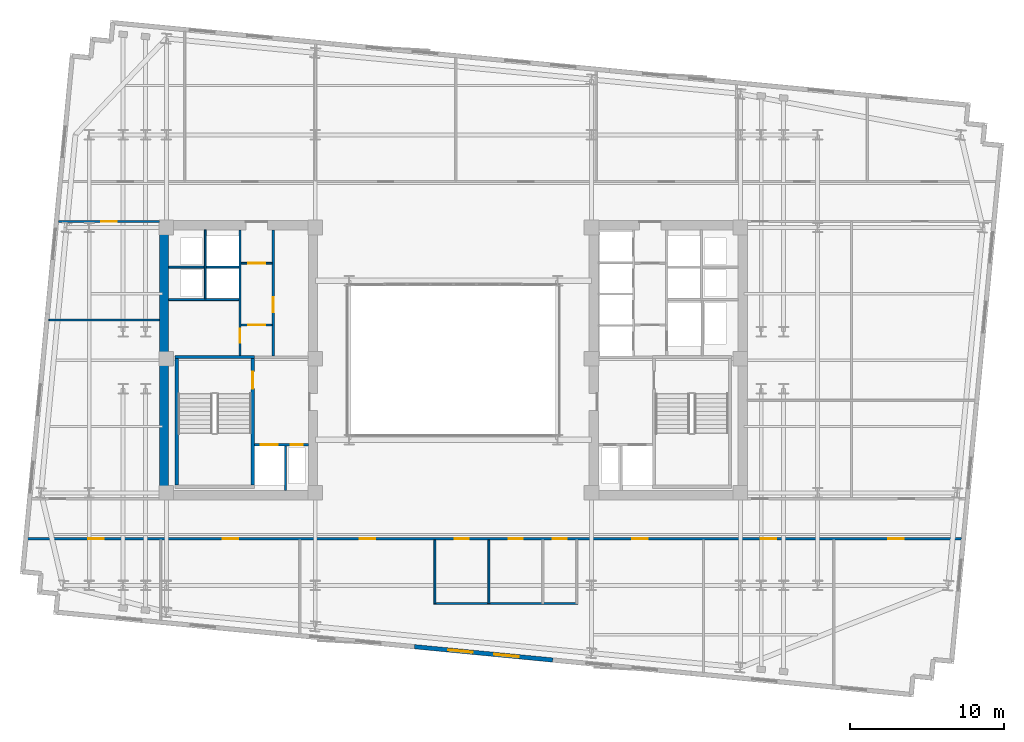
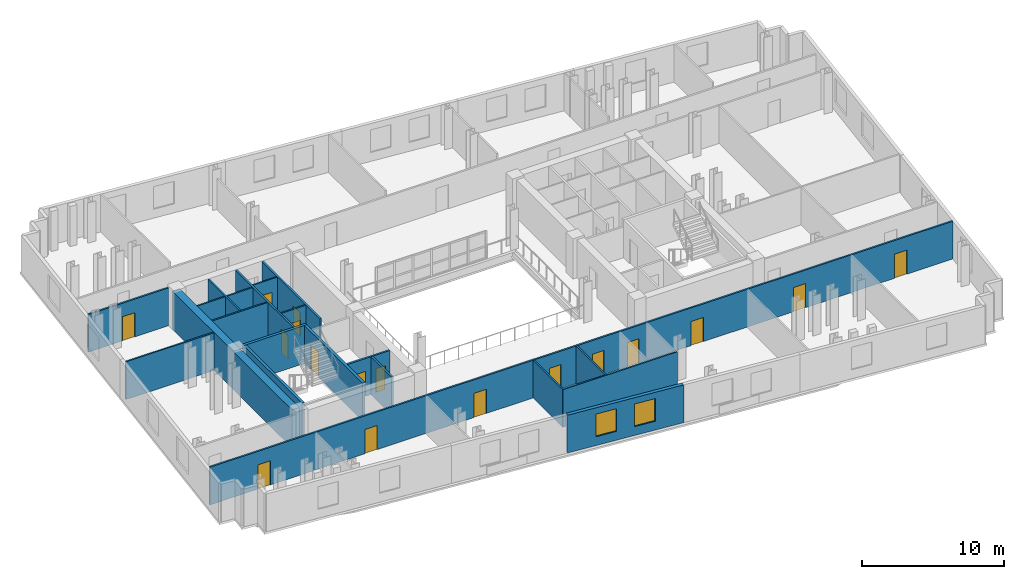
# One storey, part 5 of 10: 21 walls, 17 doors, 2 windows, 19 openings.
"""IFC4 building model written with IfcOpenShell, lengths in metres."""

from ifc_helpers import new_model, si_unit, direction, frame, frame_2d, origin, place, context, subcontext, project, spatial, rectangle, extrude, material, layer, layer_set, type_object, element, fill, save


model = new_model("IFC4")

# Units and contexts
model_context = context("Model", 3, precision=1e-05, world=origin(), true_north=direction((0.0, 1.0)))
body_context = subcontext(model_context, "Body", "Model", "MODEL_VIEW")
ifc_project = project(units=[si_unit("LENGTHUNIT", "METRE"), si_unit("AREAUNIT", "SQUARE_METRE"), si_unit("VOLUMEUNIT", "CUBIC_METRE"), si_unit("PLANEANGLEUNIT", "RADIAN"), si_unit("MASSUNIT", "GRAM", prefix="KILO")], contexts=[model_context])

# Site, building, storey
site_placement = place(None, origin())
site = spatial("IfcSite", under=ifc_project, at=site_placement, CompositionType="ELEMENT")
building_placement = place(site_placement, origin())
building = spatial("IfcBuilding", under=site, at=building_placement, Name="Velakula Bourse", CompositionType="ELEMENT")
storey_placement = place(building_placement, frame((0.0, 0.0, 188.0)))
storey = spatial("IfcBuildingStorey", under=building, at=storey_placement, Name="L51", CompositionType="ELEMENT", Elevation=188.0)

# Wall, opening, door
ifc_material_1 = material(Name="Concrete M50 (fck 50 MPa)", Category="concrete")
ifc_layer_1 = layer(ifc_material_1, 0.2099609375, Name="Concrete M50 (fck 50 MPa)", Category="concrete")
ifc_layer_set_1 = layer_set([ifc_layer_1], Name="Concrete M50 (fck 50 MPa)")
wall_type_1 = type_object("IfcWallType", Name="WL-CORE-210", PredefinedType="SHEAR", material=ifc_layer_set_1)
wall_1_placement = place(storey_placement, frame((-12.9951171875, -8.10009765625, 0.0), z_axis=(0.0, 0.0, 1.0), x_axis=(0.0, 1.0, 0.0)))
wall_1 = element("IfcWall", 1, at=wall_1_placement, inside=storey, type_object=wall_type_1, Name="L51 Core W Stairwell Shear Wall IN", PredefinedType="SHEAR", context=body_context, shape_type="SweptSolid", body=[
    extrude(rectangle(XDim=8.2001953125, YDim=0.2099609375, at=frame_2d((4.10009765625, 0.0))), origin(), (0.0, 0.0, 1.0), 3.27001953125),
])
opening_1_placement = place(wall_1_placement, frame((6.25, 0.0, 0.0)))
opening_1 = element("IfcOpeningElement", 2, at=opening_1_placement, cuts=wall_1, Name="Opening D-STW1", PredefinedType="OPENING", context=body_context, shape_type="SweptSolid", body=[
    extrude(rectangle(XDim=1.10009765625, YDim=2.14990234375, at=frame_2d((0.550048828125, 1.074951171875))), frame((0.0, 0.114990234375, 0.0), z_axis=(0.0, -1.0, 0.0), x_axis=(1.0, 0.0, 0.0)), (0.0, 0.0, 1.0), 0.22998046875),
])
ifc_material_2 = material(Name="Galvanised painted hollow steel fire door", Category="steel")
door_type_1 = type_object("IfcDoorType", Name="DR-FD120-1100x2150", OperationType="NOTDEFINED", PredefinedType="DOOR", material=ifc_material_2)
door_1_placement = place(opening_1_placement, origin())
door_1 = element("IfcDoor", 3, at=door_1_placement, inside=storey, type_object=door_type_1, Name="L51 Stair ST-W1 Fire Door", OperationType="SINGLE_SWING_LEFT", OverallHeight=2.14990234375, OverallWidth=1.10009765625, PredefinedType="DOOR", context=body_context, shape_type="SweptSolid", body=[
    extrude(rectangle(XDim=1.10009765625, YDim=2.14990234375, at=frame_2d((0.550048828125, 1.074951171875))), frame((0.0, 0.02490234375, 0.0), z_axis=(0.0, -1.0, 0.0), x_axis=(1.0, 0.0, 0.0)), (0.0, 0.0, 1.0), 0.050048828125),
])
fill(opening_1, door_1)

# Walls
wall_2_placement = place(storey_placement, frame((-17.925048828125, -8.10009765625, 0.0), z_axis=(0.0, 0.0, 1.0), x_axis=(0.0, 1.0, 0.0)))
element("IfcWall", 4, at=wall_2_placement, inside=storey, type_object=wall_type_1, Name="L51 Core W Stairwell Shear Wall OUT", PredefinedType="SHEAR", context=body_context, shape_type="SweptSolid", body=[
    extrude(rectangle(XDim=8.2001953125, YDim=0.2099609375, at=frame_2d((4.10009765625, 0.0))), origin(), (0.0, 0.0, 1.0), 3.27001953125),
])
wall_3_placement = place(storey_placement, frame((-12.889892578125, 0.205078125, 0.0), z_axis=(0.0, 0.0, 1.0), x_axis=(-1.0, 0.0, 0.0)))
element("IfcWall", 5, at=wall_3_placement, inside=storey, type_object=wall_type_1, Name="L51 Core W Stairwell Shear Wall N", PredefinedType="SHEAR", context=body_context, shape_type="SweptSolid", body=[
    extrude(rectangle(XDim=5.14013671875, YDim=0.2099609375, at=frame_2d((2.570068359375, 0.0))), origin(), (0.0, 0.0, 1.0), 3.27001953125),
])
ifc_material_3 = material(Name="Concrete M70 (fck 70 MPa)", Category="concrete")
ifc_layer_2 = layer(ifc_material_3, 0.60009765625, Name="Concrete M70 (fck 70 MPa)", Category="concrete")
ifc_layer_set_2 = layer_set([ifc_layer_2], Name="Concrete M70 (fck 70 MPa)")
wall_type_2 = type_object("IfcWallType", Name="WL-CORE-600", PredefinedType="SHEAR", material=ifc_layer_set_2)
wall_4_placement = place(storey_placement, frame((-18.75, -8.449951171875, 0.0), z_axis=(0.0, 0.0, 1.0), x_axis=(0.0, 1.0, 0.0)))
element("IfcWall", 6, at=wall_4_placement, inside=storey, type_object=wall_type_2, Name="L51 Core W Shear Wall W", PredefinedType="SHEAR", context=body_context, shape_type="SweptSolid", body=[
    extrude(rectangle(XDim=16.89990234375, YDim=0.60009765625, at=frame_2d((8.449951171875, 0.0))), origin(), (0.0, 0.0, 1.0), 3.27001953125),
])

# Wall, openings, windows
ifc_material_4 = material(Name="Red kilned clay facing brick masonry", Category="masonry")
ifc_layer_3 = layer(ifc_material_4, 0.280029296875, Name="Red kilned clay facing brick masonry", Category="masonry")
ifc_layer_set_3 = layer_set([ifc_layer_3], Name="Red kilned clay facing brick masonry")
wall_type_3 = type_object("IfcWallType", Name="WL-EXT-BRK-280", PredefinedType="STANDARD", material=ifc_layer_set_3)
wall_5_placement = place(storey_placement, frame((6.43994140625, -19.432861328125, 0.0), z_axis=(0.0, 0.0, 1.0), x_axis=(-0.995396794462, 0.09583956164, 0.0)))
wall_5 = element("IfcWall", 7, at=wall_5_placement, inside=storey, type_object=wall_type_3, Name="L51 S Brick Spandrel Wall B3", PredefinedType="STANDARD", context=body_context, shape_type="SweptSolid", body=[
    extrude(rectangle(XDim=9.0, YDim=0.280029296875, at=frame_2d((4.5, 0.0))), origin(), (0.0, 0.0, 1.0), 3.25),
])
opening_2_placement = place(wall_5_placement, frame((2.199951171875, 0.0, 0.760009765625)))
opening_2 = element("IfcOpeningElement", 8, at=opening_2_placement, cuts=wall_5, Name="Opening W-02", PredefinedType="OPENING", context=body_context, shape_type="SweptSolid", body=[
    extrude(rectangle(XDim=1.60009765625, YDim=1.949951171875, at=frame_2d((0.800048828125, 0.97509765625))), frame((0.0, 0.14990234375, 0.0), z_axis=(0.0, -1.0, 0.0), x_axis=(1.0, 0.0, 0.0)), (0.0, 0.0, 1.0), 0.300048828125),
])
opening_3_placement = place(wall_5_placement, frame((5.199951171875, 0.0, 0.760009765625)))
opening_3 = element("IfcOpeningElement", 9, at=opening_3_placement, cuts=wall_5, Name="Opening W-02", PredefinedType="OPENING", context=body_context, shape_type="SweptSolid", body=[
    extrude(rectangle(XDim=1.60009765625, YDim=1.949951171875, at=frame_2d((0.800048828125, 0.97509765625))), frame((0.0, 0.14990234375, 0.0), z_axis=(0.0, -1.0, 0.0), x_axis=(1.0, 0.0, 0.0)), (0.0, 0.0, 1.0), 0.300048828125),
])
ifc_material_5 = material(Name="Double-glazed solar-control Low-E glass", Category="glass")
window_type = type_object("IfcWindowType", Name="WIN-TWR-1600x2100", PartitioningType="SINGLE_PANEL", PredefinedType="WINDOW", material=ifc_material_5)
window_1_placement = place(opening_2_placement, origin())
window_1 = element("IfcWindow", 10, at=window_1_placement, inside=storey, type_object=window_type, Name="L51 Deep-Set Recessed Window 1", OverallHeight=1.949951171875, OverallWidth=1.60009765625, PartitioningType="SINGLE_PANEL", PredefinedType="WINDOW", context=body_context, shape_type="SweptSolid", body=[
    extrude(rectangle(XDim=1.60009765625, YDim=1.949951171875, at=frame_2d((0.800048828125, 0.97509765625))), frame((0.0, 0.030029296875, 0.0), z_axis=(0.0, -1.0, 0.0), x_axis=(1.0, 0.0, 0.0)), (0.0, 0.0, 1.0), 0.06005859375),
])
fill(opening_2, window_1)
window_2_placement = place(opening_3_placement, origin())
window_2 = element("IfcWindow", 11, at=window_2_placement, inside=storey, type_object=window_type, Name="L51 Deep-Set Recessed Window 2", OverallHeight=1.949951171875, OverallWidth=1.60009765625, PartitioningType="SINGLE_PANEL", PredefinedType="WINDOW", context=body_context, shape_type="SweptSolid", body=[
    extrude(rectangle(XDim=1.60009765625, YDim=1.949951171875, at=frame_2d((0.800048828125, 0.97509765625))), frame((0.0, 0.030029296875, 0.0), z_axis=(0.0, -1.0, 0.0), x_axis=(1.0, 0.0, 0.0)), (0.0, 0.0, 1.0), 0.06005859375),
])
fill(opening_3, window_2)

# Wall, opening, door
ifc_material_6 = material(Name="Fire-rated double-layer gypsum drywall partition", Category="gypsum")
ifc_layer_4 = layer(ifc_material_6, 0.1201171875, Name="Fire-rated double-layer gypsum drywall partition", Category="gypsum")
ifc_layer_set_4 = layer_set([ifc_layer_4], Name="Fire-rated double-layer gypsum drywall partition")
wall_type_4 = type_object("IfcWallType", Name="WL-PART-120", PredefinedType="STANDARD", material=ifc_layer_set_4)
wall_6_placement = place(storey_placement, frame((-13.75, 2.280029296875, 0.0), z_axis=(0.0, 0.0, 1.0), x_axis=(1.0, 0.0, 0.0)))
wall_6 = element("IfcWall", 12, at=wall_6_placement, inside=storey, type_object=wall_type_4, Name="L51 Interior Partition WL-CRW-L51-LL-K3A", PredefinedType="STANDARD", context=body_context, shape_type="SweptSolid", body=[
    extrude(rectangle(XDim=2.0, YDim=0.1201171875, at=frame_2d((1.0, 0.0))), origin(), (0.0, 0.0, 1.0), 3.25),
])
opening_4_placement = place(wall_6_placement, frame((0.449951171875, 0.0, 0.0)))
opening_4 = element("IfcOpeningElement", 13, at=opening_4_placement, cuts=wall_6, Name="Opening D-LK3", PredefinedType="OPENING", context=body_context, shape_type="SweptSolid", body=[
    extrude(rectangle(XDim=1.10009765625, YDim=2.10009765625, at=frame_2d((0.550048828125, 1.050048828125))), frame((0.0, 0.070068359375, 0.0), z_axis=(0.0, -1.0, 0.0), x_axis=(1.0, 0.0, 0.0)), (0.0, 0.0, 1.0), 0.14013671875),
])
ifc_material_7 = material(Name="Fire-rated hardwood flush architectural door", Category="wood")
door_type_2 = type_object("IfcDoorType", Name="DR-FD60-1100x2100", OperationType="NOTDEFINED", PredefinedType="DOOR", material=ifc_material_7)
door_2_placement = place(opening_4_placement, origin())
door_2 = element("IfcDoor", 14, at=door_2_placement, inside=storey, type_object=door_type_2, Name="L51 Core W Lift Lobby Vestibule Door A", OperationType="SINGLE_SWING_RIGHT", OverallHeight=2.10009765625, OverallWidth=1.10009765625, PredefinedType="DOOR", context=body_context, shape_type="SweptSolid", body=[
    extrude(rectangle(XDim=1.10009765625, YDim=2.10009765625, at=frame_2d((0.550048828125, 1.050048828125))), frame((0.0, 0.02490234375, 0.0), z_axis=(0.0, -1.0, 0.0), x_axis=(1.0, 0.0, 0.0)), (0.0, 0.0, 1.0), 0.050048828125),
])
fill(opening_4, door_2)

wall_7_placement = place(storey_placement, frame((-13.75, 6.280029296875, 0.0), z_axis=(0.0, 0.0, 1.0), x_axis=(1.0, 0.0, 0.0)))
wall_7 = element("IfcWall", 15, at=wall_7_placement, inside=storey, type_object=wall_type_4, Name="L51 Interior Partition WL-CRW-L51-LL-K3B", PredefinedType="STANDARD", context=body_context, shape_type="SweptSolid", body=[
    extrude(rectangle(XDim=2.0, YDim=0.1201171875, at=frame_2d((1.0, 0.0))), origin(), (0.0, 0.0, 1.0), 3.25),
])
opening_5_placement = place(wall_7_placement, frame((0.449951171875, 0.0, 0.0)))
opening_5 = element("IfcOpeningElement", 16, at=opening_5_placement, cuts=wall_7, Name="Opening D-LK3", PredefinedType="OPENING", context=body_context, shape_type="SweptSolid", body=[
    extrude(rectangle(XDim=1.10009765625, YDim=2.10009765625, at=frame_2d((0.550048828125, 1.050048828125))), frame((0.0, 0.070068359375, 0.0), z_axis=(0.0, -1.0, 0.0), x_axis=(1.0, 0.0, 0.0)), (0.0, 0.0, 1.0), 0.14013671875),
])
door_3_placement = place(opening_5_placement, origin())
door_3 = element("IfcDoor", 17, at=door_3_placement, inside=storey, type_object=door_type_2, Name="L51 Core W Lift Lobby Vestibule Door B", OperationType="SINGLE_SWING_RIGHT", OverallHeight=2.10009765625, OverallWidth=1.10009765625, PredefinedType="DOOR", context=body_context, shape_type="SweptSolid", body=[
    extrude(rectangle(XDim=1.10009765625, YDim=2.10009765625, at=frame_2d((0.550048828125, 1.050048828125))), frame((0.0, 0.02490234375, 0.0), z_axis=(0.0, -1.0, 0.0), x_axis=(1.0, 0.0, 0.0)), (0.0, 0.0, 1.0), 0.050048828125),
])
fill(opening_5, door_3)

# Walls
wall_8_placement = place(storey_placement, frame((-18.449951171875, 3.919921875, 0.0), z_axis=(0.0, 0.0, 1.0), x_axis=(1.0, 0.0, 0.0)))
element("IfcWall", 18, at=wall_8_placement, inside=storey, type_object=wall_type_4, Name="L51 Interior Partition WL-CRW-L51-HI-S", PredefinedType="STANDARD", context=body_context, shape_type="SweptSolid", body=[
    extrude(rectangle(XDim=4.550048828125, YDim=0.1201171875, at=frame_2d((2.27490234375, 0.0))), origin(), (0.0, 0.0, 1.0), 3.25),
])
wall_9_placement = place(storey_placement, frame((-18.449951171875, 6.030029296875, 0.0), z_axis=(0.0, 0.0, 1.0), x_axis=(1.0, 0.0, 0.0)))
element("IfcWall", 19, at=wall_9_placement, inside=storey, type_object=wall_type_4, Name="L51 Interior Partition WL-CRW-L51-RIS-MID", PredefinedType="STANDARD", context=body_context, shape_type="SweptSolid", body=[
    extrude(rectangle(XDim=2.300048828125, YDim=0.1201171875, at=frame_2d((1.14990234375, 0.0))), origin(), (0.0, 0.0, 1.0), 3.25),
])
wall_10_placement = place(storey_placement, frame((-16.074951171875, 3.97998046875, 0.0), z_axis=(0.0, 0.0, 1.0), x_axis=(0.0, 1.0, 0.0)))
element("IfcWall", 20, at=wall_10_placement, inside=storey, type_object=wall_type_4, Name="L51 Interior Partition WL-CRW-L51-RIS-F", PredefinedType="STANDARD", context=body_context, shape_type="SweptSolid", body=[
    extrude(rectangle(XDim=4.469970703125, YDim=0.1201171875, at=frame_2d((2.23486328125, 0.0))), origin(), (0.0, 0.0, 1.0), 3.25),
])
wall_11_placement = place(storey_placement, frame((-16.0, 6.030029296875, 0.0), z_axis=(0.0, 0.0, 1.0), x_axis=(1.0, 0.0, 0.0)))
element("IfcWall", 21, at=wall_11_placement, inside=storey, type_object=wall_type_4, Name="L51 Interior Partition WL-CRW-L51-HI-DIV", PredefinedType="STANDARD", context=body_context, shape_type="SweptSolid", body=[
    extrude(rectangle(XDim=2.10009765625, YDim=0.1201171875, at=frame_2d((1.050048828125, 0.0))), origin(), (0.0, 0.0, 1.0), 3.25),
])
wall_12_placement = place(storey_placement, frame((-1.260009765625, -15.77001953125, 0.0), z_axis=(0.0, 0.0, 1.0), x_axis=(1.0, 0.0, 0.0)))
element("IfcWall", 22, at=wall_12_placement, inside=storey, type_object=wall_type_4, Name="L51 Interior Partition WL-WC-L51-BACK", PredefinedType="STANDARD", context=body_context, shape_type="SweptSolid", body=[
    extrude(rectangle(XDim=9.320068359375, YDim=0.1201171875, at=frame_2d((4.66015625, 0.0))), origin(), (0.0, 0.0, 1.0), 3.25),
])
for number, where, z_axis, x_axis, name in (
    (23, (-1.199951171875, -15.77001953125, 0.0), (0.0, 0.0, 1.0), (0.0, 1.0, 0.0), "L51 Interior Partition WL-WC-L51-V1"),
    (24, (2.300048828125, -15.77001953125, 0.0), (0.0, 0.0, 1.0), (0.0, 1.0, 0.0), "L51 Interior Partition WL-WC-L51-V2"),
):
    element("IfcWall", number, at=place(storey_placement, frame(where, z_axis=z_axis, x_axis=x_axis)), inside=storey, type_object=wall_type_4, Name=name, PredefinedType="STANDARD", context=body_context, shape_type="SweptSolid", body=[
        extrude(rectangle(XDim=4.130126953125, YDim=0.1201171875, at=frame_2d((2.06494140625, 0.0))), origin(), (0.0, 0.0, 1.0), 3.25),
    ])
wall_13_placement = place(storey_placement, frame((-26.218505859375, 2.60009765625, 0.0), z_axis=(0.0, 0.0, 1.0), x_axis=(1.0, 0.0, 0.0)))
element("IfcWall", 25, at=wall_13_placement, inside=storey, type_object=wall_type_4, Name="L51 Interior Partition WL-INT-L51-W-H", PredefinedType="STANDARD", context=body_context, shape_type="SweptSolid", body=[
    extrude(rectangle(XDim=7.16845703125, YDim=0.1201171875, at=frame_2d((3.584228515625, 0.0))), origin(), (0.0, 0.0, 1.0), 3.25),
])

# Wall, openings, doors
ifc_layer_5 = layer(ifc_material_6, 0.139892578125, Name="Fire-rated double-layer gypsum drywall partition", Category="gypsum")
ifc_layer_set_5 = layer_set([ifc_layer_5], Name="Fire-rated double-layer gypsum drywall partition")
wall_type_5 = type_object("IfcWallType", Name="WL-PART-140", PredefinedType="STANDARD", material=ifc_layer_set_5)
wall_14_placement = place(storey_placement, frame((-27.5830078125, -11.570068359375, 0.0), z_axis=(0.0, 0.0, 1.0), x_axis=(1.0, 0.0, 0.0)))
wall_14 = element("IfcWall", 26, at=wall_14_placement, inside=storey, type_object=wall_type_5, Name="L51 Interior Partition WL-INT-L51-S-CORR", PredefinedType="STANDARD", context=body_context, shape_type="SweptSolid", body=[
    extrude(rectangle(XDim=60.5185546875, YDim=0.139892578125, at=frame_2d((30.25927734375, 0.0))), origin(), (0.0, 0.0, 1.0), 3.25),
])
opening_6_placement = place(wall_14_placement, frame((27.673095703125, 0.0, 0.0)))
opening_6 = element("IfcOpeningElement", 27, at=opening_6_placement, cuts=wall_14, Name="Opening D-WT1", PredefinedType="OPENING", context=body_context, shape_type="SweptSolid", body=[
    extrude(rectangle(XDim=0.919921875, YDim=2.080078125, at=frame_2d((0.4599609375, 1.0400390625))), frame((0.0, 0.079833984375, 0.0), z_axis=(0.0, -1.0, 0.0), x_axis=(1.0, 0.0, 0.0)), (0.0, 0.0, 1.0), 0.159912109375),
])
opening_7_placement = place(wall_14_placement, frame((31.173095703125, 0.0, 0.0)))
opening_7 = element("IfcOpeningElement", 28, at=opening_7_placement, cuts=wall_14, Name="Opening D-WT1", PredefinedType="OPENING", context=body_context, shape_type="SweptSolid", body=[
    extrude(rectangle(XDim=0.919921875, YDim=2.080078125, at=frame_2d((0.4599609375, 1.0400390625))), frame((0.0, 0.079833984375, 0.0), z_axis=(0.0, -1.0, 0.0), x_axis=(1.0, 0.0, 0.0)), (0.0, 0.0, 1.0), 0.159912109375),
])
opening_8_placement = place(wall_14_placement, frame((34.02294921875, 0.0, 0.0)))
opening_8 = element("IfcOpeningElement", 29, at=opening_8_placement, cuts=wall_14, Name="Opening D-WC1", PredefinedType="OPENING", context=body_context, shape_type="SweptSolid", body=[
    extrude(rectangle(XDim=0.919921875, YDim=2.080078125, at=frame_2d((0.4599609375, 1.0400390625))), frame((0.0, 0.079833984375, 0.0), z_axis=(0.0, -1.0, 0.0), x_axis=(1.0, 0.0, 0.0)), (0.0, 0.0, 1.0), 0.159912109375),
])
opening_9_placement = place(wall_14_placement, frame((3.935546875, 0.0, 0.0)))
opening_9 = element("IfcOpeningElement", 30, at=opening_9_placement, cuts=wall_14, Name="Opening D-OF1", PredefinedType="OPENING", context=body_context, shape_type="SweptSolid", body=[
    extrude(rectangle(XDim=1.0, YDim=2.080078125, at=frame_2d((0.5, 1.0400390625))), frame((0.0, 0.079833984375, 0.0), z_axis=(0.0, -1.0, 0.0), x_axis=(1.0, 0.0, 0.0)), (0.0, 0.0, 1.0), 0.159912109375),
])
opening_10_placement = place(wall_14_placement, frame((12.62646484375, 0.0, 0.0)))
opening_10 = element("IfcOpeningElement", 31, at=opening_10_placement, cuts=wall_14, Name="Opening D-OF1", PredefinedType="OPENING", context=body_context, shape_type="SweptSolid", body=[
    extrude(rectangle(XDim=1.0, YDim=2.080078125, at=frame_2d((0.5, 1.0400390625))), frame((0.0, 0.079833984375, 0.0), z_axis=(0.0, -1.0, 0.0), x_axis=(1.0, 0.0, 0.0)), (0.0, 0.0, 1.0), 0.159912109375),
])
opening_11_placement = place(wall_14_placement, frame((21.508544921875, 0.0, 0.0)))
opening_11 = element("IfcOpeningElement", 32, at=opening_11_placement, cuts=wall_14, Name="Opening D-OF1", PredefinedType="OPENING", context=body_context, shape_type="SweptSolid", body=[
    extrude(rectangle(XDim=1.0, YDim=2.080078125, at=frame_2d((0.5, 1.0400390625))), frame((0.0, 0.079833984375, 0.0), z_axis=(0.0, -1.0, 0.0), x_axis=(1.0, 0.0, 0.0)), (0.0, 0.0, 1.0), 0.159912109375),
])
opening_12_placement = place(wall_14_placement, frame((39.1865234375, 0.0, 0.0)))
opening_12 = element("IfcOpeningElement", 33, at=opening_12_placement, cuts=wall_14, Name="Opening D-OF1", PredefinedType="OPENING", context=body_context, shape_type="SweptSolid", body=[
    extrude(rectangle(XDim=1.0, YDim=2.080078125, at=frame_2d((0.5, 1.0400390625))), frame((0.0, 0.079833984375, 0.0), z_axis=(0.0, -1.0, 0.0), x_axis=(1.0, 0.0, 0.0)), (0.0, 0.0, 1.0), 0.159912109375),
])
opening_13_placement = place(wall_14_placement, frame((47.517578125, 0.0, 0.0)))
opening_13 = element("IfcOpeningElement", 34, at=opening_13_placement, cuts=wall_14, Name="Opening D-OF1", PredefinedType="OPENING", context=body_context, shape_type="SweptSolid", body=[
    extrude(rectangle(XDim=1.0, YDim=2.080078125, at=frame_2d((0.5, 1.0400390625))), frame((0.0, 0.079833984375, 0.0), z_axis=(0.0, -1.0, 0.0), x_axis=(1.0, 0.0, 0.0)), (0.0, 0.0, 1.0), 0.159912109375),
])
opening_14_placement = place(wall_14_placement, frame((55.755859375, 0.0, 0.0)))
opening_14 = element("IfcOpeningElement", 35, at=opening_14_placement, cuts=wall_14, Name="Opening D-OF1", PredefinedType="OPENING", context=body_context, shape_type="SweptSolid", body=[
    extrude(rectangle(XDim=1.0, YDim=2.080078125, at=frame_2d((0.5, 1.0400390625))), frame((0.0, 0.079833984375, 0.0), z_axis=(0.0, -1.0, 0.0), x_axis=(1.0, 0.0, 0.0)), (0.0, 0.0, 1.0), 0.159912109375),
])
door_type_3 = type_object("IfcDoorType", Name="DR-OFF-1000", OperationType="NOTDEFINED", PredefinedType="DOOR", material=ifc_material_7)
door_4_placement = place(opening_9_placement, origin())
door_4 = element("IfcDoor", 36, at=door_4_placement, inside=storey, type_object=door_type_3, Name="L51 Breakout Dining Lounge Door", OperationType="SINGLE_SWING_LEFT", OverallHeight=2.080078125, OverallWidth=1.0, PredefinedType="DOOR", context=body_context, shape_type="SweptSolid", body=[
    extrude(rectangle(XDim=1.0, YDim=2.080078125, at=frame_2d((0.5, 1.0400390625))), frame((0.0, 0.02490234375, 0.0), z_axis=(0.0, -1.0, 0.0), x_axis=(1.0, 0.0, 0.0)), (0.0, 0.0, 1.0), 0.050048828125),
])
fill(opening_9, door_4)
door_5_placement = place(opening_10_placement, origin())
door_5 = element("IfcDoor", 37, at=door_5_placement, inside=storey, type_object=door_type_3, Name="L51 Compliance Review Office Door", OperationType="SINGLE_SWING_RIGHT", OverallHeight=2.080078125, OverallWidth=1.0, PredefinedType="DOOR", context=body_context, shape_type="SweptSolid", body=[
    extrude(rectangle(XDim=1.0, YDim=2.080078125, at=frame_2d((0.5, 1.0400390625))), frame((0.0, 0.02490234375, 0.0), z_axis=(0.0, -1.0, 0.0), x_axis=(1.0, 0.0, 0.0)), (0.0, 0.0, 1.0), 0.050048828125),
])
fill(opening_10, door_5)
door_6_placement = place(opening_11_placement, origin())
door_6 = element("IfcDoor", 38, at=door_6_placement, inside=storey, type_object=door_type_3, Name="L51 Training Classroom Door", OperationType="SINGLE_SWING_LEFT", OverallHeight=2.080078125, OverallWidth=1.0, PredefinedType="DOOR", context=body_context, shape_type="SweptSolid", body=[
    extrude(rectangle(XDim=1.0, YDim=2.080078125, at=frame_2d((0.5, 1.0400390625))), frame((0.0, 0.02490234375, 0.0), z_axis=(0.0, -1.0, 0.0), x_axis=(1.0, 0.0, 0.0)), (0.0, 0.0, 1.0), 0.050048828125),
])
fill(opening_11, door_6)
door_7_placement = place(opening_12_placement, origin())
door_7 = element("IfcDoor", 39, at=door_7_placement, inside=storey, type_object=door_type_3, Name="L51 Tea Room Kitchenette Door", OperationType="SINGLE_SWING_RIGHT", OverallHeight=2.080078125, OverallWidth=1.0, PredefinedType="DOOR", context=body_context, shape_type="SweptSolid", body=[
    extrude(rectangle(XDim=1.0, YDim=2.080078125, at=frame_2d((0.5, 1.0400390625))), frame((0.0, 0.02490234375, 0.0), z_axis=(0.0, -1.0, 0.0), x_axis=(1.0, 0.0, 0.0)), (0.0, 0.0, 1.0), 0.050048828125),
])
fill(opening_12, door_7)
door_8_placement = place(opening_13_placement, origin())
door_8 = element("IfcDoor", 40, at=door_8_placement, inside=storey, type_object=door_type_3, Name="L51 Algorithmic Dealing Workspace Door", OperationType="SINGLE_SWING_LEFT", OverallHeight=2.080078125, OverallWidth=1.0, PredefinedType="DOOR", context=body_context, shape_type="SweptSolid", body=[
    extrude(rectangle(XDim=1.0, YDim=2.080078125, at=frame_2d((0.5, 1.0400390625))), frame((0.0, 0.02490234375, 0.0), z_axis=(0.0, -1.0, 0.0), x_axis=(1.0, 0.0, 0.0)), (0.0, 0.0, 1.0), 0.050048828125),
])
fill(opening_13, door_8)
door_9_placement = place(opening_14_placement, origin())
door_9 = element("IfcDoor", 41, at=door_9_placement, inside=storey, type_object=door_type_3, Name="L51 Compliance Review Office Door", OperationType="SINGLE_SWING_RIGHT", OverallHeight=2.080078125, OverallWidth=1.0, PredefinedType="DOOR", context=body_context, shape_type="SweptSolid", body=[
    extrude(rectangle(XDim=1.0, YDim=2.080078125, at=frame_2d((0.5, 1.0400390625))), frame((0.0, 0.02490234375, 0.0), z_axis=(0.0, -1.0, 0.0), x_axis=(1.0, 0.0, 0.0)), (0.0, 0.0, 1.0), 0.050048828125),
])
fill(opening_14, door_9)
door_type_4 = type_object("IfcDoorType", Name="DR-WC-950", OperationType="NOTDEFINED", PredefinedType="DOOR", material=ifc_material_7)
door_10_placement = place(opening_6_placement, origin())
door_10 = element("IfcDoor", 42, at=door_10_placement, inside=storey, type_object=door_type_4, Name="L51 Male Staff Toilet Door", OperationType="SINGLE_SWING_RIGHT", OverallHeight=2.080078125, OverallWidth=0.919921875, PredefinedType="DOOR", context=body_context, shape_type="SweptSolid", body=[
    extrude(rectangle(XDim=0.919921875, YDim=2.080078125, at=frame_2d((0.4599609375, 1.0400390625))), frame((0.0, 0.02490234375, 0.0), z_axis=(0.0, -1.0, 0.0), x_axis=(1.0, 0.0, 0.0)), (0.0, 0.0, 1.0), 0.050048828125),
])
fill(opening_6, door_10)
door_11_placement = place(opening_7_placement, origin())
door_11 = element("IfcDoor", 43, at=door_11_placement, inside=storey, type_object=door_type_4, Name="L51 Female Staff Toilet Door", OperationType="SINGLE_SWING_LEFT", OverallHeight=2.080078125, OverallWidth=0.919921875, PredefinedType="DOOR", context=body_context, shape_type="SweptSolid", body=[
    extrude(rectangle(XDim=0.919921875, YDim=2.080078125, at=frame_2d((0.4599609375, 1.0400390625))), frame((0.0, 0.02490234375, 0.0), z_axis=(0.0, -1.0, 0.0), x_axis=(1.0, 0.0, 0.0)), (0.0, 0.0, 1.0), 0.050048828125),
])
fill(opening_7, door_11)
door_12_placement = place(opening_8_placement, origin())
door_12 = element("IfcDoor", 44, at=door_12_placement, inside=storey, type_object=door_type_4, Name="L51 Accessible WC Door", OperationType="SINGLE_SWING_RIGHT", OverallHeight=2.080078125, OverallWidth=0.919921875, PredefinedType="DOOR", context=body_context, shape_type="SweptSolid", body=[
    extrude(rectangle(XDim=0.919921875, YDim=2.080078125, at=frame_2d((0.4599609375, 1.0400390625))), frame((0.0, 0.02490234375, 0.0), z_axis=(0.0, -1.0, 0.0), x_axis=(1.0, 0.0, 0.0)), (0.0, 0.0, 1.0), 0.050048828125),
])
fill(opening_8, door_12)

# Wall, opening, door
wall_15_placement = place(storey_placement, frame((-25.604248046875, 8.97998046875, 0.0), z_axis=(0.0, 0.0, 1.0), x_axis=(1.0, 0.0, 0.0)))
wall_15 = element("IfcWall", 45, at=wall_15_placement, inside=storey, type_object=wall_type_5, Name="L51 Interior Partition WL-INT-L51-W-NC", PredefinedType="STANDARD", context=body_context, shape_type="SweptSolid", body=[
    extrude(rectangle(XDim=6.55419921875, YDim=0.139892578125, at=frame_2d((3.277099609375, 0.0))), origin(), (0.0, 0.0, 1.0), 3.25),
])
opening_15_placement = place(wall_15_placement, frame((2.777099609375, 0.0, 0.0)))
opening_15 = element("IfcOpeningElement", 46, at=opening_15_placement, cuts=wall_15, Name="Opening D-OF1", PredefinedType="OPENING", context=body_context, shape_type="SweptSolid", body=[
    extrude(rectangle(XDim=1.0, YDim=2.080078125, at=frame_2d((0.5, 1.0400390625))), frame((0.0, 0.079833984375, 0.0), z_axis=(0.0, -1.0, 0.0), x_axis=(1.0, 0.0, 0.0)), (0.0, 0.0, 1.0), 0.159912109375),
])
door_13_placement = place(opening_15_placement, origin())
door_13 = element("IfcDoor", 47, at=door_13_placement, inside=storey, type_object=door_type_3, Name="L51 Compliance Review Office Door", OperationType="SINGLE_SWING_LEFT", OverallHeight=2.080078125, OverallWidth=1.0, PredefinedType="DOOR", context=body_context, shape_type="SweptSolid", body=[
    extrude(rectangle(XDim=1.0, YDim=2.080078125, at=frame_2d((0.5, 1.0400390625))), frame((0.0, 0.02490234375, 0.0), z_axis=(0.0, -1.0, 0.0), x_axis=(1.0, 0.0, 0.0)), (0.0, 0.0, 1.0), 0.050048828125),
])
fill(opening_15, door_13)

# Wall, openings, doors
ifc_material_8 = material(Name="Autoclaved aerated concrete blockwork masonry", Category="masonry")
ifc_layer_6 = layer(ifc_material_8, 0.14990234375, Name="Autoclaved aerated concrete blockwork masonry", Category="masonry")
ifc_layer_set_6 = layer_set([ifc_layer_6], Name="Autoclaved aerated concrete blockwork masonry")
wall_type_6 = type_object("IfcWallType", Name="WL-SHAFT-150", PredefinedType="STANDARD", material=ifc_layer_set_6)
wall_16_placement = place(storey_placement, frame((-12.89501953125, -5.47509765625, 0.0), z_axis=(0.0, 0.0, 1.0), x_axis=(1.0, 0.0, 0.0)))
wall_16 = element("IfcWall", 48, at=wall_16_placement, inside=storey, type_object=wall_type_6, Name="L51 Interior Partition WL-CRW-L51-FFL-N", PredefinedType="STANDARD", context=body_context, shape_type="SweptSolid", body=[
    extrude(rectangle(XDim=3.4951171875, YDim=0.14990234375, at=frame_2d((1.74755859375, 0.0))), origin(), (0.0, 0.0, 1.0), 3.25),
])
opening_16_placement = place(wall_16_placement, frame((0.419921875, 0.0, 0.0)))
opening_16 = element("IfcOpeningElement", 49, at=opening_16_placement, cuts=wall_16, Name="Opening LD-FFL-1", PredefinedType="OPENING", context=body_context, shape_type="SweptSolid", body=[
    extrude(rectangle(XDim=1.10009765625, YDim=2.14990234375, at=frame_2d((0.550048828125, 1.074951171875))), frame((0.0, 0.0849609375, 0.0), z_axis=(0.0, -1.0, 0.0), x_axis=(1.0, 0.0, 0.0)), (0.0, 0.0, 1.0), 0.169921875),
])
opening_17_placement = place(wall_16_placement, frame((2.3701171875, 0.0, 0.0)))
opening_17 = element("IfcOpeningElement", 50, at=opening_17_placement, cuts=wall_16, Name="Opening D-RS1", PredefinedType="OPENING", context=body_context, shape_type="SweptSolid", body=[
    extrude(rectangle(XDim=0.75, YDim=2.050048828125, at=frame_2d((0.375, 1.02490234375))), frame((0.0, 0.0849609375, 0.0), z_axis=(0.0, -1.0, 0.0), x_axis=(1.0, 0.0, 0.0)), (0.0, 0.0, 1.0), 0.169921875),
])
door_type_5 = type_object("IfcDoorType", Name="DR-RISER-800", OperationType="NOTDEFINED", PredefinedType="DOOR", material=ifc_material_2)
door_14_placement = place(opening_17_placement, origin())
door_14 = element("IfcDoor", 51, at=door_14_placement, inside=storey, type_object=door_type_5, Name="L51 Fire Riser Access Door", OperationType="SINGLE_SWING_LEFT", OverallHeight=2.050048828125, OverallWidth=0.75, PredefinedType="DOOR", context=body_context, shape_type="SweptSolid", body=[
    extrude(rectangle(XDim=0.75, YDim=2.050048828125, at=frame_2d((0.375, 1.02490234375))), frame((0.0, 0.02490234375, 0.0), z_axis=(0.0, -1.0, 0.0), x_axis=(1.0, 0.0, 0.0)), (0.0, 0.0, 1.0), 0.050048828125),
])
fill(opening_17, door_14)
ifc_material_9 = material(Name="Brushed grade 316 stainless steel", Category="steel")
door_type_6 = type_object("IfcDoorType", Name="DR-SLIDE-FFL-1100", OperationType="DOUBLE_DOOR_SLIDING", PredefinedType="DOOR", material=ifc_material_9)
door_15_placement = place(opening_16_placement, origin())
door_15 = element("IfcDoor", 52, at=door_15_placement, inside=storey, type_object=door_type_6, Name="L51 Firefighting Lift FFL-1 Sliding Landing Door", OperationType="DOUBLE_DOOR_SLIDING", OverallHeight=2.14990234375, OverallWidth=1.10009765625, PredefinedType="DOOR", context=body_context, shape_type="SweptSolid", body=[
    extrude(rectangle(XDim=1.10009765625, YDim=2.14990234375, at=frame_2d((0.550048828125, 1.074951171875))), frame((0.0, 0.02490234375, 0.0), z_axis=(0.0, -1.0, 0.0), x_axis=(1.0, 0.0, 0.0)), (0.0, 0.0, 1.0), 0.050048828125),
])
fill(opening_16, door_15)

# Wall
wall_17_placement = place(storey_placement, frame((-10.875, -8.449951171875, 0.0), z_axis=(0.0, 0.0, 1.0), x_axis=(0.0, 1.0, 0.0)))
element("IfcWall", 53, at=wall_17_placement, inside=storey, type_object=wall_type_6, Name="L51 Interior Partition WL-CRW-L51-FR-DIV", PredefinedType="STANDARD", context=body_context, shape_type="SweptSolid", body=[
    extrude(rectangle(XDim=2.89990234375, YDim=0.14990234375, at=frame_2d((1.449951171875, 0.0))), origin(), (0.0, 0.0, 1.0), 3.25),
])

# Wall, opening, door
wall_18_placement = place(storey_placement, frame((-11.675048828125, 0.27001953125, 0.0), z_axis=(0.0, 0.0, 1.0), x_axis=(0.0, 1.0, 0.0)))
wall_18 = element("IfcWall", 54, at=wall_18_placement, inside=storey, type_object=wall_type_6, Name="L51 Interior Partition WL-CRW-L51-BANK-F", PredefinedType="STANDARD", context=body_context, shape_type="SweptSolid", body=[
    extrude(rectangle(XDim=8.179931640625, YDim=0.14990234375, at=frame_2d((4.08984375, 0.0))), origin(), (0.0, 0.0, 1.0), 3.25),
])
opening_18_placement = place(wall_18_placement, frame((2.85009765625, 0.0, 0.0)))
opening_18 = element("IfcOpeningElement", 55, at=opening_18_placement, cuts=wall_18, Name="Opening D-RC4", PredefinedType="OPENING", context=body_context, shape_type="SweptSolid", body=[
    extrude(rectangle(XDim=0.949951171875, YDim=2.050048828125, at=frame_2d((0.47509765625, 1.02490234375))), frame((0.0, 0.0849609375, 0.0), z_axis=(0.0, -1.0, 0.0), x_axis=(1.0, 0.0, 0.0)), (0.0, 0.0, 1.0), 0.169921875),
])
door_type_7 = type_object("IfcDoorType", Name="DR-FD60-950x2050", OperationType="NOTDEFINED", PredefinedType="DOOR", material=ifc_material_7)
door_16_placement = place(opening_18_placement, origin())
door_16 = element("IfcDoor", 56, at=door_16_placement, inside=storey, type_object=door_type_7, Name="L51 Reclaimed Multi-Bay Archive Room Door", OperationType="SINGLE_SWING_RIGHT", OverallHeight=2.050048828125, OverallWidth=0.949951171875, PredefinedType="DOOR", context=body_context, shape_type="SweptSolid", body=[
    extrude(rectangle(XDim=0.949951171875, YDim=2.050048828125, at=frame_2d((0.47509765625, 1.02490234375))), frame((0.0, 0.02490234375, 0.0), z_axis=(0.0, -1.0, 0.0), x_axis=(1.0, 0.0, 0.0)), (0.0, 0.0, 1.0), 0.050048828125),
])
fill(opening_18, door_16)

wall_19_placement = place(storey_placement, frame((-13.824951171875, 0.27001953125, 0.0), z_axis=(0.0, 0.0, 1.0), x_axis=(0.0, 1.0, 0.0)))
wall_19 = element("IfcWall", 57, at=wall_19_placement, inside=storey, type_object=wall_type_6, Name="L51 Interior Partition WL-CRW-L51-OUT-F", PredefinedType="STANDARD", context=body_context, shape_type="SweptSolid", body=[
    extrude(rectangle(XDim=8.179931640625, YDim=0.14990234375, at=frame_2d((4.08984375, 0.0))), origin(), (0.0, 0.0, 1.0), 3.25),
])
opening_19_placement = place(wall_19_placement, frame((0.85009765625, 0.0, 0.0)))
opening_19 = element("IfcOpeningElement", 58, at=opening_19_placement, cuts=wall_19, Name="Opening D-CR3", PredefinedType="OPENING", context=body_context, shape_type="SweptSolid", body=[
    extrude(rectangle(XDim=0.89990234375, YDim=2.050048828125, at=frame_2d((0.449951171875, 1.02490234375))), frame((0.0, 0.0849609375, 0.0), z_axis=(0.0, -1.0, 0.0), x_axis=(1.0, 0.0, 0.0)), (0.0, 0.0, 1.0), 0.169921875),
])
door_type_8 = type_object("IfcDoorType", Name="DR-INT-900", OperationType="NOTDEFINED", PredefinedType="DOOR", material=ifc_material_7)
door_17_placement = place(opening_19_placement, origin())
door_17 = element("IfcDoor", 59, at=door_17_placement, inside=storey, type_object=door_type_8, Name="L51 Core Stationery and Mail Room Door", OperationType="SINGLE_SWING_RIGHT", OverallHeight=2.050048828125, OverallWidth=0.89990234375, PredefinedType="DOOR", context=body_context, shape_type="SweptSolid", body=[
    extrude(rectangle(XDim=0.89990234375, YDim=2.050048828125, at=frame_2d((0.449951171875, 1.02490234375))), frame((0.0, 0.02490234375, 0.0), z_axis=(0.0, -1.0, 0.0), x_axis=(1.0, 0.0, 0.0)), (0.0, 0.0, 1.0), 0.050048828125),
])
fill(opening_19, door_17)

save(model, "model.ifc")
